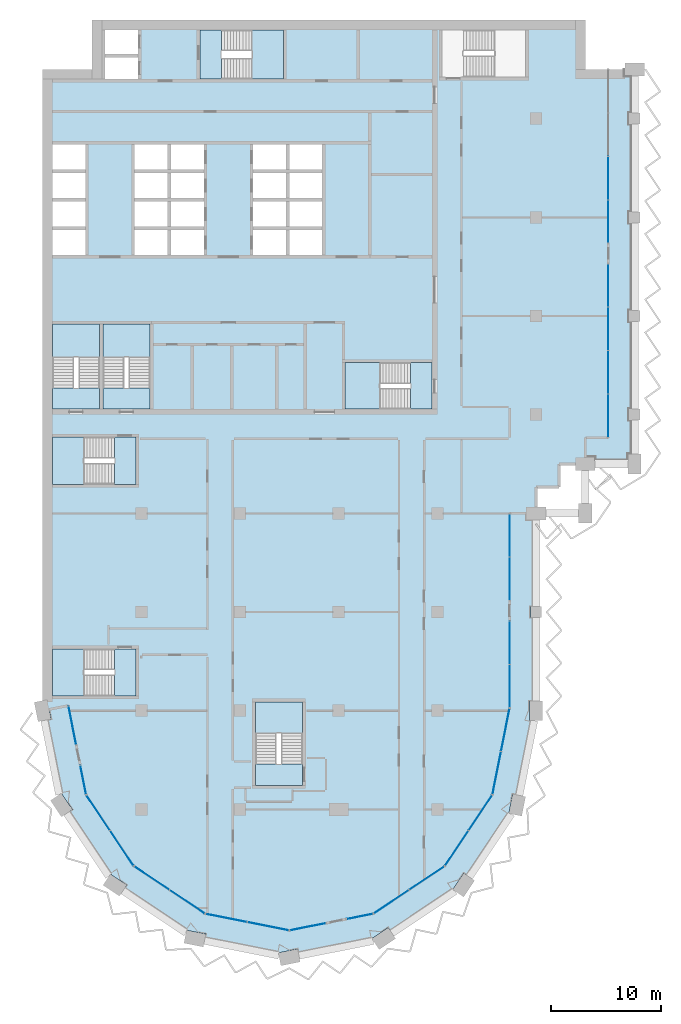
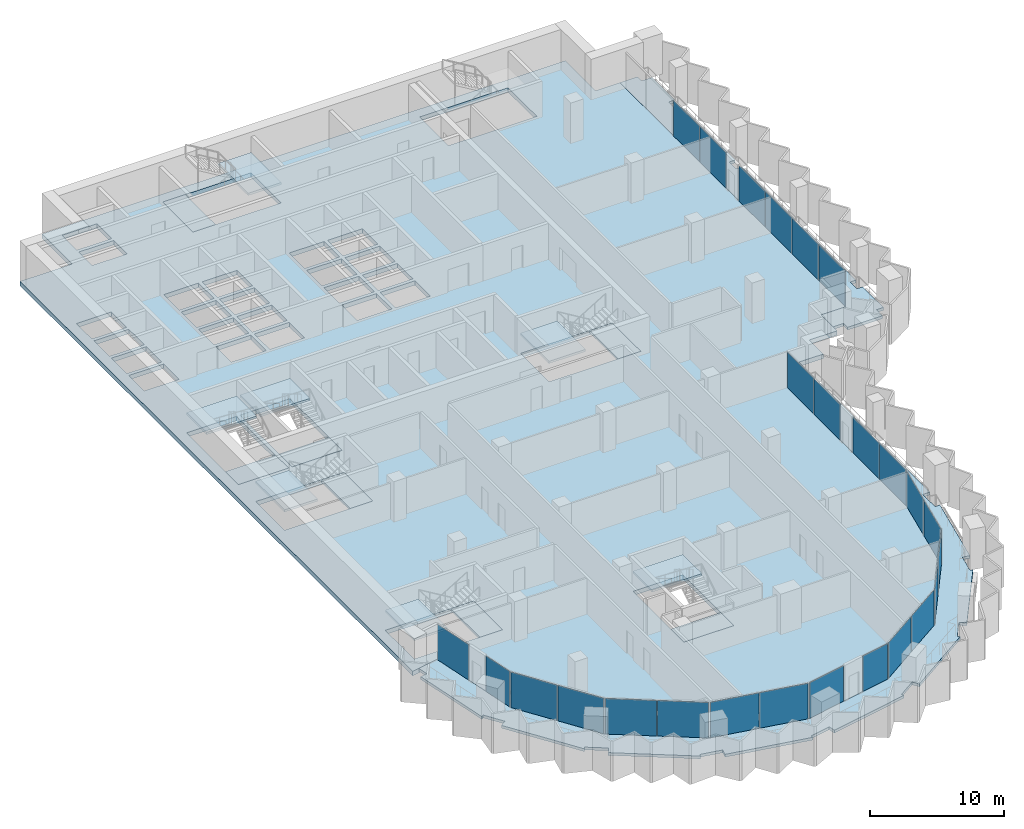
# One storey, part 6 of 17: 26 plates, 17 slabs, 21 elements without a shape of their own.
"""IFC4 building model written with IfcOpenShell, lengths in metres."""

from ifc_helpers import new_model, si_unit, direction, frame, origin, origin_2d, place, context, subcontext, project, spatial, polyline, rectangle, outline, extrude, material, layer, layer_set, type_object, element, aggregate, save


model = new_model("IFC4")

# Units and contexts
model_context = context("Model", 3, precision=1e-05, world=origin(), true_north=direction((0.0, 1.0)))
body_context = subcontext(model_context, "Body", "Model", "MODEL_VIEW")
ifc_project = project(units=[si_unit("LENGTHUNIT", "METRE"), si_unit("AREAUNIT", "SQUARE_METRE"), si_unit("VOLUMEUNIT", "CUBIC_METRE"), si_unit("PLANEANGLEUNIT", "RADIAN"), si_unit("MASSUNIT", "GRAM", prefix="KILO")], contexts=[model_context])

# Site, building, storey
site_placement = place(None, origin())
site = spatial("IfcSite", under=ifc_project, at=site_placement, CompositionType="ELEMENT")
building_placement = place(site_placement, origin())
building = spatial("IfcBuilding", under=site, at=building_placement, Name="Hunhe Ridgeline Campus", CompositionType="ELEMENT")
storey_placement = place(building_placement, frame((0.0, 0.0, 186.5)))
storey = spatial("IfcBuildingStorey", under=building, at=storey_placement, Name="L47", CompositionType="ELEMENT", Elevation=186.5)

# Curtain wall, plate
ifc_material_1 = material(Name="Aluminium 6063", Category="aluminium")
curtain_wall_type_1 = type_object("IfcCurtainWallType", Name="Curtain wall CW-5", PredefinedType="NOTDEFINED", material=ifc_material_1)
curtain_wall_1_placement = place(storey_placement, origin())
curtain_wall_1 = element("IfcCurtainWall", 1, at=curtain_wall_1_placement, inside=storey, type_object=curtain_wall_type_1, Name="Curtain wall 01", PredefinedType="NOTDEFINED")
ifc_material_2 = material(Name="Low-e laminated glass", Category="glass")
ifc_layer_1 = layer(ifc_material_2, 0.028076171875)
ifc_layer_set_1 = layer_set([ifc_layer_1], Name="Curtain wall glass panel 28 low-e laminated")
plate_type = type_object("IfcPlateType", Name="Curtain wall glass panel 28 low-e laminated", PredefinedType="CURTAIN_PANEL", material=ifc_layer_set_1)
plate_1_placement = place(storey_placement, frame((2.7158203125, 34.65380859375, 0.0), z_axis=(0.0, 0.0, 1.0), x_axis=(0.195095326561, -0.980784284924, 0.0)))
plate_1 = element("IfcPlate", 2, at=plate_1_placement, type_object=plate_type, Name="CW-5 panel 1", PredefinedType="CURTAIN_PANEL", context=body_context, shape_type="SweptSolid", body=[
    extrude(rectangle(XDim=3.560791015625, YDim=0.028076171875, at=origin_2d()), origin(), (0.0, 0.0, 1.0), 3.22998046875),
])
aggregate(curtain_wall_1, [plate_1])

curtain_wall_2_placement = place(storey_placement, origin())
curtain_wall_2 = element("IfcCurtainWall", 3, at=curtain_wall_2_placement, inside=storey, type_object=curtain_wall_type_1, Name="Curtain wall 02", PredefinedType="NOTDEFINED")
plate_2_placement = place(storey_placement, frame((3.701171875, 29.699951171875, 0.0), z_axis=(0.0, 0.0, 1.0), x_axis=(0.195095265587, -0.980784297053, 0.0)))
plate_2 = element("IfcPlate", 4, at=plate_2_placement, type_object=plate_type, Name="CW-5 panel 1", PredefinedType="CURTAIN_PANEL", context=body_context, shape_type="SweptSolid", body=[
    extrude(rectangle(XDim=2.660888671875, YDim=0.028076171875, at=origin_2d()), origin(), (0.0, 0.0, 1.0), 3.22998046875),
])
aggregate(curtain_wall_2, [plate_2])

# Curtain wall, plates
curtain_wall_3_placement = place(storey_placement, origin())
curtain_wall_3 = element("IfcCurtainWall", 5, at=curtain_wall_3_placement, inside=storey, type_object=curtain_wall_type_1, Name="Curtain wall 03", PredefinedType="NOTDEFINED")
plate_3_placement = place(storey_placement, frame((5.07080078125, 26.685546875, 0.0), z_axis=(0.0, 0.0, 1.0), x_axis=(0.555570274596, -0.831469584522, 0.0)))
plate_3 = element("IfcPlate", 6, at=plate_3_placement, type_object=plate_type, Name="CW-5 panel 1", PredefinedType="CURTAIN_PANEL", context=body_context, shape_type="SweptSolid", body=[
    extrude(rectangle(XDim=3.806884765625, YDim=0.028076171875, at=origin_2d()), origin(), (0.0, 0.0, 1.0), 3.22998046875),
])
plate_4_placement = place(storey_placement, frame((7.224609375, 23.4619140625, 0.0), z_axis=(0.0, 0.0, 1.0), x_axis=(0.555570274596, -0.831469584522, 0.0)))
plate_4 = element("IfcPlate", 7, at=plate_4_placement, type_object=plate_type, Name="CW-5 panel 2", PredefinedType="CURTAIN_PANEL", context=body_context, shape_type="SweptSolid", body=[
    extrude(rectangle(XDim=3.806884765625, YDim=0.028076171875, at=origin_2d()), origin(), (0.0, 0.0, 1.0), 3.22998046875),
])
aggregate(curtain_wall_3, [plate_3, plate_4])

curtain_wall_4_placement = place(storey_placement, origin())
curtain_wall_4 = element("IfcCurtainWall", 8, at=curtain_wall_4_placement, inside=storey, type_object=curtain_wall_type_1, Name="Curtain wall 04", PredefinedType="NOTDEFINED")
plate_5_placement = place(storey_placement, frame((9.9619140625, 20.724609375, 0.0), z_axis=(0.0, 0.0, 1.0), x_axis=(0.831469584522, -0.555570274596, 0.0)))
plate_5 = element("IfcPlate", 9, at=plate_5_placement, type_object=plate_type, Name="CW-5 panel 1", PredefinedType="CURTAIN_PANEL", context=body_context, shape_type="SweptSolid", body=[
    extrude(rectangle(XDim=3.806884765625, YDim=0.028076171875, at=origin_2d()), origin(), (0.0, 0.0, 1.0), 3.22998046875),
])
plate_6_placement = place(storey_placement, frame((13.185546875, 18.57080078125, 0.0), z_axis=(0.0, 0.0, 1.0), x_axis=(0.831469584522, -0.555570274596, 0.0)))
plate_6 = element("IfcPlate", 10, at=plate_6_placement, type_object=plate_type, Name="CW-5 panel 2", PredefinedType="CURTAIN_PANEL", context=body_context, shape_type="SweptSolid", body=[
    extrude(rectangle(XDim=3.806884765625, YDim=0.028076171875, at=origin_2d()), origin(), (0.0, 0.0, 1.0), 3.22998046875),
])
aggregate(curtain_wall_4, [plate_5, plate_6])

curtain_wall_5_placement = place(storey_placement, origin())
curtain_wall_5 = element("IfcCurtainWall", 11, at=curtain_wall_5_placement, inside=storey, type_object=curtain_wall_type_1, Name="Curtain wall 05", PredefinedType="NOTDEFINED")
plate_7_placement = place(storey_placement, frame((16.761962890625, 17.08935546875, 0.0), z_axis=(0.0, 0.0, 1.0), x_axis=(0.980785275326, -0.195090347539, 0.0)))
plate_7 = element("IfcPlate", 12, at=plate_7_placement, type_object=plate_type, Name="CW-5 panel 1", PredefinedType="CURTAIN_PANEL", context=body_context, shape_type="SweptSolid", body=[
    extrude(rectangle(XDim=3.806884765625, YDim=0.028076171875, at=origin_2d()), origin(), (0.0, 0.0, 1.0), 3.22998046875),
])
plate_8_placement = place(storey_placement, frame((20.564453125, 16.3330078125, 0.0), z_axis=(0.0, 0.0, 1.0), x_axis=(0.980785275326, -0.195090347539, 0.0)))
plate_8 = element("IfcPlate", 13, at=plate_8_placement, type_object=plate_type, Name="CW-5 panel 2", PredefinedType="CURTAIN_PANEL", context=body_context, shape_type="SweptSolid", body=[
    extrude(rectangle(XDim=3.806884765625, YDim=0.028076171875, at=origin_2d()), origin(), (0.0, 0.0, 1.0), 3.22998046875),
])
aggregate(curtain_wall_5, [plate_7, plate_8])

# Curtain wall, plate
curtain_wall_6_placement = place(storey_placement, origin())
curtain_wall_6 = element("IfcCurtainWall", 14, at=curtain_wall_6_placement, inside=storey, type_object=curtain_wall_type_1, Name="Curtain wall 06", PredefinedType="NOTDEFINED")
plate_9_placement = place(storey_placement, frame((24.19775390625, 16.28564453125, 0.0), z_axis=(0.0, 0.0, 1.0), x_axis=(0.980785270791, 0.19509037034, 0.0)))
plate_9 = element("IfcPlate", 15, at=plate_9_placement, type_object=plate_type, Name="CW-5 panel 1", PredefinedType="CURTAIN_PANEL", context=body_context, shape_type="SweptSolid", body=[
    extrude(rectangle(XDim=3.322021484375, YDim=0.028076171875, at=origin_2d()), origin(), (0.0, 0.0, 1.0), 3.22998046875),
])
aggregate(curtain_wall_6, [plate_9])

curtain_wall_7_placement = place(storey_placement, origin())
curtain_wall_7 = element("IfcCurtainWall", 16, at=curtain_wall_7_placement, inside=storey, type_object=curtain_wall_type_1, Name="Curtain wall 07", PredefinedType="NOTDEFINED")
plate_10_placement = place(storey_placement, frame((28.917236328125, 17.224609375, 0.0), z_axis=(0.0, 0.0, 1.0), x_axis=(0.980785242091, 0.195090514627, 0.0)))
plate_10 = element("IfcPlate", 17, at=plate_10_placement, type_object=plate_type, Name="CW-5 panel 1", PredefinedType="CURTAIN_PANEL", context=body_context, shape_type="SweptSolid", body=[
    extrude(rectangle(XDim=2.421875, YDim=0.028076171875, at=origin_2d()), origin(), (0.0, 0.0, 1.0), 3.22998046875),
])
aggregate(curtain_wall_7, [plate_10])

# Curtain wall, plates
curtain_wall_8_placement = place(storey_placement, origin())
curtain_wall_8 = element("IfcCurtainWall", 18, at=curtain_wall_8_placement, inside=storey, type_object=curtain_wall_type_1, Name="Curtain wall 08", PredefinedType="NOTDEFINED")
plate_11_placement = place(storey_placement, frame((31.814453125, 18.57080078125, 0.0), z_axis=(0.0, 0.0, 1.0), x_axis=(0.831469584522, 0.555570274596, 0.0)))
plate_11 = element("IfcPlate", 19, at=plate_11_placement, type_object=plate_type, Name="CW-5 panel 1", PredefinedType="CURTAIN_PANEL", context=body_context, shape_type="SweptSolid", body=[
    extrude(rectangle(XDim=3.806884765625, YDim=0.028076171875, at=origin_2d()), origin(), (0.0, 0.0, 1.0), 3.22998046875),
])
plate_12_placement = place(storey_placement, frame((35.0380859375, 20.724609375, 0.0), z_axis=(0.0, 0.0, 1.0), x_axis=(0.831469584522, 0.555570274596, 0.0)))
plate_12 = element("IfcPlate", 20, at=plate_12_placement, type_object=plate_type, Name="CW-5 panel 2", PredefinedType="CURTAIN_PANEL", context=body_context, shape_type="SweptSolid", body=[
    extrude(rectangle(XDim=3.806884765625, YDim=0.028076171875, at=origin_2d()), origin(), (0.0, 0.0, 1.0), 3.22998046875),
])
aggregate(curtain_wall_8, [plate_11, plate_12])

curtain_wall_9_placement = place(storey_placement, origin())
curtain_wall_9 = element("IfcCurtainWall", 21, at=curtain_wall_9_placement, inside=storey, type_object=curtain_wall_type_1, Name="Curtain wall 09", PredefinedType="NOTDEFINED")
plate_13_placement = place(storey_placement, frame((37.775390625, 23.4619140625, 0.0), z_axis=(0.0, 0.0, 1.0), x_axis=(0.555570274596, 0.831469584522, 0.0)))
plate_13 = element("IfcPlate", 22, at=plate_13_placement, type_object=plate_type, Name="CW-5 panel 1", PredefinedType="CURTAIN_PANEL", context=body_context, shape_type="SweptSolid", body=[
    extrude(rectangle(XDim=3.806884765625, YDim=0.028076171875, at=origin_2d()), origin(), (0.0, 0.0, 1.0), 3.22998046875),
])
plate_14_placement = place(storey_placement, frame((39.92919921875, 26.685546875, 0.0), z_axis=(0.0, 0.0, 1.0), x_axis=(0.555570274596, 0.831469584522, 0.0)))
plate_14 = element("IfcPlate", 23, at=plate_14_placement, type_object=plate_type, Name="CW-5 panel 2", PredefinedType="CURTAIN_PANEL", context=body_context, shape_type="SweptSolid", body=[
    extrude(rectangle(XDim=3.806884765625, YDim=0.028076171875, at=origin_2d()), origin(), (0.0, 0.0, 1.0), 3.22998046875),
])
aggregate(curtain_wall_9, [plate_13, plate_14])

curtain_wall_10_placement = place(storey_placement, origin())
curtain_wall_10 = element("IfcCurtainWall", 24, at=curtain_wall_10_placement, inside=storey, type_object=curtain_wall_type_1, Name="Curtain wall 10", PredefinedType="NOTDEFINED")
plate_15_placement = place(storey_placement, frame((41.42236328125, 30.321044921875, 0.0), z_axis=(0.0, 0.0, 1.0), x_axis=(0.195090299215, 0.980785284939, 0.0)))
plate_15 = element("IfcPlate", 25, at=plate_15_placement, type_object=plate_type, Name="CW-5 panel 1", PredefinedType="CURTAIN_PANEL", context=body_context, shape_type="SweptSolid", body=[
    extrude(rectangle(XDim=3.927490234375, YDim=0.028076171875, at=origin_2d()), origin(), (0.0, 0.0, 1.0), 3.22998046875),
])
plate_16_placement = place(storey_placement, frame((42.2021484375, 34.24169921875, 0.0), z_axis=(0.0, 0.0, 1.0), x_axis=(0.195090299215, 0.980785284939, 0.0)))
plate_16 = element("IfcPlate", 26, at=plate_16_placement, type_object=plate_type, Name="CW-5 panel 2", PredefinedType="CURTAIN_PANEL", context=body_context, shape_type="SweptSolid", body=[
    extrude(rectangle(XDim=3.927490234375, YDim=0.028076171875, at=origin_2d()), origin(), (0.0, 0.0, 1.0), 3.22998046875),
])
aggregate(curtain_wall_10, [plate_15, plate_16])

curtain_wall_type_2 = type_object("IfcCurtainWallType", Name="Curtain wall CW-1", PredefinedType="NOTDEFINED", material=ifc_material_1)
curtain_wall_11_placement = place(storey_placement, origin())
curtain_wall_11 = element("IfcCurtainWall", 27, at=curtain_wall_11_placement, inside=storey, type_object=curtain_wall_type_2, Name="Curtain wall 11", PredefinedType="NOTDEFINED")
plate_17_placement = place(storey_placement, frame((42.59912109375, 38.2470703125, 0.0), z_axis=(0.0, 0.0, 1.0), x_axis=(6.639948e-06, 0.999999999978, 0.0)))
plate_17 = element("IfcPlate", 28, at=plate_17_placement, type_object=plate_type, Name="CW-1 panel 1", PredefinedType="CURTAIN_PANEL", context=body_context, shape_type="SweptSolid", body=[
    extrude(rectangle(XDim=3.90087890625, YDim=0.028076171875, at=origin_2d()), origin(), (0.0, 0.0, 1.0), 3.239990234375),
])
plate_18_placement = place(storey_placement, frame((42.59912109375, 42.2080078125, 0.0), z_axis=(0.0, 0.0, 1.0), x_axis=(6.639948e-06, 0.999999999978, 0.0)))
plate_18 = element("IfcPlate", 29, at=plate_18_placement, type_object=plate_type, Name="CW-1 panel 2", PredefinedType="CURTAIN_PANEL", context=body_context, shape_type="SweptSolid", body=[
    extrude(rectangle(XDim=3.90087890625, YDim=0.028076171875, at=origin_2d()), origin(), (0.0, 0.0, 1.0), 3.239990234375),
])
aggregate(curtain_wall_11, [plate_17, plate_18])

curtain_wall_12_placement = place(storey_placement, origin())
curtain_wall_12 = element("IfcCurtainWall", 30, at=curtain_wall_12_placement, inside=storey, type_object=curtain_wall_type_2, Name="Curtain wall 12", PredefinedType="NOTDEFINED")
plate_19_placement = place(storey_placement, frame((42.59912109375, 48.029052734375, 0.0), z_axis=(0.0, 0.0, 1.0), x_axis=(6.639948e-06, 0.999999999978, 0.0)))
plate_19 = element("IfcPlate", 31, at=plate_19_placement, type_object=plate_type, Name="CW-1 panel 1", PredefinedType="CURTAIN_PANEL", context=body_context, shape_type="SweptSolid", body=[
    extrude(rectangle(XDim=3.90087890625, YDim=0.028076171875, at=origin_2d()), origin(), (0.0, 0.0, 1.0), 3.239990234375),
])
plate_20_placement = place(storey_placement, frame((42.59912109375, 51.989990234375, 0.0), z_axis=(0.0, 0.0, 1.0), x_axis=(6.639948e-06, 0.999999999978, 0.0)))
plate_20 = element("IfcPlate", 32, at=plate_20_placement, type_object=plate_type, Name="CW-1 panel 2", PredefinedType="CURTAIN_PANEL", context=body_context, shape_type="SweptSolid", body=[
    extrude(rectangle(XDim=3.90087890625, YDim=0.028076171875, at=origin_2d()), origin(), (0.0, 0.0, 1.0), 3.239990234375),
])
aggregate(curtain_wall_12, [plate_19, plate_20])

curtain_wall_13_placement = place(storey_placement, origin())
curtain_wall_13 = element("IfcCurtainWall", 33, at=curtain_wall_13_placement, inside=storey, type_object=curtain_wall_type_2, Name="Curtain wall 13", PredefinedType="NOTDEFINED")
plate_21_placement = place(storey_placement, frame((51.59912109375, 62.9033203125, 0.0), z_axis=(0.0, 0.0, 1.0), x_axis=(0.0, 1.0, 0.0)))
plate_21 = element("IfcPlate", 34, at=plate_21_placement, type_object=plate_type, Name="CW-1 panel 1", PredefinedType="CURTAIN_PANEL", context=body_context, shape_type="SweptSolid", body=[
    extrude(rectangle(XDim=3.884765625, YDim=0.028076171875, at=origin_2d()), origin(), (0.0, 0.0, 1.0), 3.239990234375),
])
plate_22_placement = place(storey_placement, frame((51.59912109375, 66.86328125, 0.0), z_axis=(0.0, 0.0, 1.0), x_axis=(0.0, 1.0, 0.0)))
plate_22 = element("IfcPlate", 35, at=plate_22_placement, type_object=plate_type, Name="CW-1 panel 2", PredefinedType="CURTAIN_PANEL", context=body_context, shape_type="SweptSolid", body=[
    extrude(rectangle(XDim=3.914794921875, YDim=0.028076171875, at=origin_2d()), origin(), (0.0, 0.0, 1.0), 3.239990234375),
])
plate_23_placement = place(storey_placement, frame((51.59912109375, 70.838134765625, 0.0), z_axis=(0.0, 0.0, 1.0), x_axis=(0.0, 1.0, 0.0)))
plate_23 = element("IfcPlate", 36, at=plate_23_placement, type_object=plate_type, Name="CW-1 panel 3", PredefinedType="CURTAIN_PANEL", context=body_context, shape_type="SweptSolid", body=[
    extrude(rectangle(XDim=3.914794921875, YDim=0.028076171875, at=origin_2d()), origin(), (0.0, 0.0, 1.0), 3.239990234375),
])
plate_24_placement = place(storey_placement, frame((51.59912109375, 74.798095703125, 0.0), z_axis=(0.0, 0.0, 1.0), x_axis=(0.0, 1.0, 0.0)))
plate_24 = element("IfcPlate", 37, at=plate_24_placement, type_object=plate_type, Name="CW-1 panel 4", PredefinedType="CURTAIN_PANEL", context=body_context, shape_type="SweptSolid", body=[
    extrude(rectangle(XDim=3.884765625, YDim=0.028076171875, at=origin_2d()), origin(), (0.0, 0.0, 1.0), 3.239990234375),
])
aggregate(curtain_wall_13, [plate_21, plate_22, plate_23, plate_24])

curtain_wall_14_placement = place(storey_placement, origin())
curtain_wall_14 = element("IfcCurtainWall", 38, at=curtain_wall_14_placement, inside=storey, type_object=curtain_wall_type_2, Name="Curtain wall 14", PredefinedType="NOTDEFINED")
plate_25_placement = place(storey_placement, frame((51.59912109375, 80.60302734375, 0.0), z_axis=(0.0, 0.0, 1.0), x_axis=(0.0, 1.0, 0.0)))
plate_25 = element("IfcPlate", 39, at=plate_25_placement, type_object=plate_type, Name="CW-1 panel 1", PredefinedType="CURTAIN_PANEL", context=body_context, shape_type="SweptSolid", body=[
    extrude(rectangle(XDim=3.884765625, YDim=0.028076171875, at=origin_2d()), origin(), (0.0, 0.0, 1.0), 3.239990234375),
])
plate_26_placement = place(storey_placement, frame((51.59912109375, 84.562744140625, 0.0), z_axis=(0.0, 0.0, 1.0), x_axis=(0.0, 1.0, 0.0)))
plate_26 = element("IfcPlate", 40, at=plate_26_placement, type_object=plate_type, Name="CW-1 panel 2", PredefinedType="CURTAIN_PANEL", context=body_context, shape_type="SweptSolid", body=[
    extrude(rectangle(XDim=3.914794921875, YDim=0.028076171875, at=origin_2d()), origin(), (0.0, 0.0, 1.0), 3.239990234375),
])
aggregate(curtain_wall_14, [plate_25, plate_26])

# Slabs
ifc_material_3 = material(Name="Concrete C40", Category="concrete")
ifc_layer_2 = layer(ifc_material_3, 0.39990234375)
ifc_layer_set_2 = layer_set([ifc_layer_2], Name="Floor slab 400 Concrete C40")
slab_type_1 = type_object("IfcSlabType", Name="Floor slab 400 Concrete C40", PredefinedType="FLOOR", material=ifc_layer_set_2)
slab_1_placement = place(storey_placement, frame((0.0, 0.0, -0.39990234375)))
element("IfcSlab", 41, at=slab_1_placement, inside=storey, type_object=slab_type_1, Name="Floor slab L47 1", PredefinedType="FLOOR", context=body_context, shape_type="SweptSolid", body=[
    extrude(outline(polyline([(51.59912109375, 94.5), (49.5, 94.5), (49.5, 99.0), (4.5, 99.0), (4.5, 94.5), (0.0, 94.5), (0.0, 36.0009765625), (2.354736328125, 36.46875), (3.974365234375, 28.326416015625), (8.321044921875, 21.821044921875), (14.826416015625, 17.474365234375), (22.5, 15.947998046875), (30.173583984375, 17.474365234375), (36.678955078125, 21.821044921875), (41.025634765625, 28.326416015625), (42.59912109375, 36.236572265625), (42.59912109375, 54.00048828125), (44.9990234375, 54.0009765625), (44.999267578125, 56.400634765625), (47.09912109375, 56.40087890625), (47.099609375, 58.5009765625), (49.4990234375, 58.5009765625), (49.49951171875, 60.90087890625), (51.59912109375, 60.90087890625), (51.59912109375, 94.5)]), holes=[polyline([(36.449951171875, 93.800048828125), (44.050048828125, 93.800048828125), (44.050048828125, 98.10009765625), (36.449951171875, 98.10009765625), (36.449951171875, 93.800048828125)]), polyline([(35.5, 63.5), (35.5, 67.75), (27.60009765625, 67.75), (27.60009765625, 63.5), (35.5, 63.5)]), polyline([(25.5, 80.14990234375), (25.5, 82.449951171875), (22.5, 82.449951171875), (22.5, 80.14990234375), (25.5, 80.14990234375)]), polyline([(25.5, 79.85009765625), (22.5, 79.85009765625), (22.5, 77.550048828125), (25.5, 77.550048828125), (25.5, 79.85009765625)]), polyline([(22.5, 87.64990234375), (22.5, 85.35009765625), (25.5, 85.35009765625), (25.5, 87.64990234375), (22.5, 87.64990234375)]), polyline([(22.5, 82.75), (25.5, 82.75), (25.5, 85.050048828125), (22.5, 85.050048828125), (22.5, 82.75)]), polyline([(19.39990234375, 29.199951171875), (23.699951171875, 29.199951171875), (23.699951171875, 36.800048828125), (19.39990234375, 36.800048828125), (19.39990234375, 29.199951171875)]), polyline([(22.199951171875, 80.14990234375), (22.199951171875, 82.449951171875), (19.199951171875, 82.449951171875), (19.199951171875, 80.14990234375), (22.199951171875, 80.14990234375)]), polyline([(22.199951171875, 79.85009765625), (19.199951171875, 79.85009765625), (19.199951171875, 77.550048828125), (22.199951171875, 77.550048828125), (22.199951171875, 79.85009765625)]), polyline([(19.199951171875, 87.64990234375), (19.199951171875, 85.35009765625), (22.199951171875, 85.35009765625), (22.199951171875, 87.64990234375), (19.199951171875, 87.64990234375)]), polyline([(19.199951171875, 82.75), (22.199951171875, 82.75), (22.199951171875, 85.050048828125), (19.199951171875, 85.050048828125), (19.199951171875, 82.75)]), polyline([(14.35009765625, 93.60009765625), (21.949951171875, 93.60009765625), (21.949951171875, 98.10009765625), (14.35009765625, 98.10009765625), (14.35009765625, 93.60009765625)]), polyline([(11.699951171875, 87.64990234375), (11.699951171875, 85.35009765625), (14.699951171875, 85.35009765625), (14.699951171875, 87.64990234375), (11.699951171875, 87.64990234375)]), polyline([(14.699951171875, 80.14990234375), (14.699951171875, 82.449951171875), (11.699951171875, 82.449951171875), (11.699951171875, 80.14990234375), (14.699951171875, 80.14990234375)]), polyline([(14.699951171875, 79.85009765625), (11.699951171875, 79.85009765625), (11.699951171875, 77.550048828125), (14.699951171875, 77.550048828125), (14.699951171875, 79.85009765625)]), polyline([(11.699951171875, 82.75), (14.699951171875, 82.75), (14.699951171875, 85.050048828125), (11.699951171875, 85.050048828125), (11.699951171875, 82.75)]), polyline([(11.39990234375, 80.14990234375), (11.39990234375, 82.449951171875), (8.39990234375, 82.449951171875), (8.39990234375, 80.14990234375), (11.39990234375, 80.14990234375)]), polyline([(11.39990234375, 79.85009765625), (8.39990234375, 79.85009765625), (8.39990234375, 77.550048828125), (11.39990234375, 77.550048828125), (11.39990234375, 79.85009765625)]), polyline([(8.39990234375, 87.64990234375), (8.39990234375, 85.35009765625), (11.39990234375, 85.35009765625), (11.39990234375, 87.64990234375), (8.39990234375, 87.64990234375)]), polyline([(8.39990234375, 82.75), (11.39990234375, 82.75), (11.39990234375, 85.050048828125), (8.39990234375, 85.050048828125), (8.39990234375, 82.75)]), polyline([(9.800048828125, 71.25), (5.5, 71.25), (5.5, 63.5), (9.800048828125, 63.5), (9.800048828125, 71.25)]), polyline([(8.699951171875, 95.89990234375), (8.699951171875, 98.10009765625), (5.699951171875, 98.10009765625), (5.699951171875, 95.89990234375), (8.699951171875, 95.89990234375)]), polyline([(8.699951171875, 95.60009765625), (5.699951171875, 95.60009765625), (5.699951171875, 93.60009765625), (8.699951171875, 93.60009765625), (8.699951171875, 95.60009765625)]), polyline([(0.89990234375, 37.35009765625), (8.5, 37.35009765625), (8.5, 41.64990234375), (0.89990234375, 41.64990234375), (0.89990234375, 37.35009765625)]), polyline([(0.89990234375, 60.949951171875), (0.89990234375, 56.64990234375), (8.5, 56.64990234375), (8.5, 60.949951171875), (0.89990234375, 60.949951171875)]), polyline([(0.89990234375, 71.25), (0.89990234375, 63.5), (5.199951171875, 63.5), (5.199951171875, 71.25), (0.89990234375, 71.25)]), polyline([(3.89990234375, 80.14990234375), (3.89990234375, 82.449951171875), (0.89990234375, 82.449951171875), (0.89990234375, 80.14990234375), (3.89990234375, 80.14990234375)]), polyline([(3.89990234375, 79.85009765625), (0.89990234375, 79.85009765625), (0.89990234375, 77.550048828125), (3.89990234375, 77.550048828125), (3.89990234375, 79.85009765625)]), polyline([(0.89990234375, 87.64990234375), (0.89990234375, 85.35009765625), (3.89990234375, 85.35009765625), (3.89990234375, 87.64990234375), (0.89990234375, 87.64990234375)]), polyline([(0.89990234375, 82.75), (3.89990234375, 82.75), (3.89990234375, 85.050048828125), (0.89990234375, 85.050048828125), (0.89990234375, 82.75)])]), origin(), (0.0, 0.0, 1.0), 0.39990234375),
])
ifc_layer_3 = layer(ifc_material_3, 0.25)
ifc_layer_set_3 = layer_set([ifc_layer_3], Name="Loggia slab 250 Concrete C40")
slab_type_2 = type_object("IfcSlabType", Name="Loggia slab 250 Concrete C40", PredefinedType="FLOOR", material=ifc_layer_set_3)
slab_2_placement = place(storey_placement, frame((0.0, 0.0, -0.25)))
element("IfcSlab", 42, at=slab_2_placement, inside=storey, type_object=slab_type_2, Name="Loggia slab 1", PredefinedType="FLOOR", context=body_context, shape_type="SweptSolid", body=[
    extrude(outline(polyline([(30.173828125, 17.473388671875), (22.5, 15.947021484375), (14.826171875, 17.473388671875), (8.3203125, 21.8203125), (3.973388671875, 28.326171875), (2.35400390625, 36.46826171875), (0.58837890625, 36.116943359375), (0.76416015625, 35.234375), (0.175537109375, 35.1171875), (1.522705078125, 28.344970703125), (1.711669921875, 28.47119140625), (2.711669921875, 26.974609375), (2.212646484375, 26.641357421875), (6.048828125, 20.900146484375), (6.175048828125, 21.089111328125), (7.671875, 20.0888671875), (7.33837890625, 19.590087890625), (13.07958984375, 15.75390625), (13.1240234375, 15.976806640625), (14.889404296875, 15.62548828125), (14.772216796875, 15.037109375), (21.544677734375, 13.68994140625), (21.500244140625, 13.912841796875), (23.265625, 14.26416015625), (23.3828125, 13.675537109375), (30.155029296875, 15.022705078125), (30.02880859375, 15.211669921875), (31.525390625, 16.211669921875), (31.858642578125, 15.712646484375), (37.599853515625, 19.548828125), (37.410888671875, 19.675048828125), (38.4111328125, 21.171875), (38.909912109375, 20.83837890625), (42.74609375, 26.57958984375), (42.523193359375, 26.6240234375), (42.87451171875, 28.389404296875), (43.462890625, 28.272216796875), (44.821044921875, 35.10009765625), (44.39990234375, 35.10009765625), (44.39990234375, 36.89990234375), (45.0, 36.89990234375), (45.0, 44.5), (44.5, 44.5), (44.5, 45.5), (45.0, 45.5), (45.0, 53.39990234375), (44.10009765625, 53.39990234375), (44.10009765625, 54.0), (42.60009765625, 54.0), (42.60009765625, 36.236328125), (41.026611328125, 28.326171875), (36.6796875, 21.8203125), (30.173828125, 17.473388671875)])), origin(), (0.0, 0.0, 1.0), 0.25),
])
slab_3_placement = place(storey_placement, frame((0.0, 0.0, -0.25)))
element("IfcSlab", 43, at=slab_3_placement, inside=storey, type_object=slab_type_2, Name="Loggia slab 2", PredefinedType="FLOOR", context=body_context, shape_type="SweptSolid", body=[
    extrude(outline(polyline([(49.5, 59.10009765625), (50.39990234375, 59.10009765625), (50.39990234375, 58.5), (53.39990234375, 58.5), (53.39990234375, 59.39990234375), (54.0, 59.39990234375), (54.0, 62.5), (53.5, 62.5), (53.5, 63.5), (54.0, 63.5), (54.0, 71.5), (53.5, 71.5), (53.5, 72.5), (54.0, 72.5), (54.0, 80.5), (53.5, 80.5), (53.5, 81.5), (54.0, 81.5), (54.0, 89.5), (53.5, 89.5), (53.5, 90.5), (54.0, 90.5), (54.0, 93.89990234375), (53.10009765625, 93.89990234375), (53.10009765625, 94.5), (51.60009765625, 94.5), (51.60009765625, 60.89990234375), (49.5, 60.89990234375), (49.5, 59.10009765625)])), origin(), (0.0, 0.0, 1.0), 0.25),
])

# Stair, slab
stair_type = type_object("IfcStairType", Name="Reinforced concrete dog-leg stair 1950 Concrete C40", PredefinedType="HALF_TURN_STAIR", material=ifc_material_3)
stair_1_placement = place(storey_placement, origin())
stair_1 = element("IfcStair", 44, at=stair_1_placement, inside=storey, type_object=stair_type, Name="L47 S1", PredefinedType="HALF_TURN_STAIR")
ifc_layer_4 = layer(ifc_material_3, 0.199951171875)
ifc_layer_set_4 = layer_set([ifc_layer_4], Name="Reinforced concrete stair landing 200 Concrete C40")
slab_type_3 = type_object("IfcSlabType", Name="Reinforced concrete stair landing 200 Concrete C40", PredefinedType="LANDING", material=ifc_layer_set_4)
slab_4_placement = place(storey_placement, frame((0.0, 0.0, 1.64990234375)))
slab_4 = element("IfcSlab", 45, at=slab_4_placement, type_object=slab_type_3, Name="ST1 landing 1", PredefinedType="LANDING", context=body_context, shape_type="SweptSolid", body=[
    extrude(outline(polyline([(19.10009765625, 93.60009765625), (21.949951171875, 93.60009765625), (21.949951171875, 98.10009765625), (19.10009765625, 98.10009765625), (19.10009765625, 93.60009765625)])), origin(), (0.0, 0.0, 1.0), 0.2001953125),
])
aggregate(stair_1, [slab_4])

# Slab
slab_5_placement = place(storey_placement, frame((0.0, 0.0, -0.199951171875)))
element("IfcSlab", 46, at=slab_5_placement, inside=storey, type_object=slab_type_3, Name="L47 stair S1 floor landing", PredefinedType="LANDING", context=body_context, shape_type="SweptSolid", body=[
    extrude(outline(polyline([(14.35009765625, 93.60009765625), (16.300048828125, 93.60009765625), (16.300048828125, 98.10009765625), (14.35009765625, 98.10009765625), (14.35009765625, 93.60009765625)])), origin(), (0.0, 0.0, 1.0), 0.199951171875),
])

# Stair, slab
stair_2_placement = place(storey_placement, origin())
stair_2 = element("IfcStair", 47, at=stair_2_placement, inside=storey, type_object=stair_type, Name="L47 S2", PredefinedType="HALF_TURN_STAIR")
slab_6_placement = place(storey_placement, frame((0.0, 0.0, 1.64990234375)))
slab_6 = element("IfcSlab", 48, at=slab_6_placement, type_object=slab_type_3, Name="ST2 landing 1", PredefinedType="LANDING", context=body_context, shape_type="SweptSolid", body=[
    extrude(outline(polyline([(30.75, 67.75), (27.60009765625, 67.75), (27.60009765625, 63.5), (30.75, 63.5), (30.75, 67.75)])), origin(), (0.0, 0.0, 1.0), 0.2001953125),
])
aggregate(stair_2, [slab_6])

# Slab
slab_7_placement = place(storey_placement, frame((0.0, 0.0, -0.199951171875)))
element("IfcSlab", 49, at=slab_7_placement, inside=storey, type_object=slab_type_3, Name="L47 stair S2 floor landing", PredefinedType="LANDING", context=body_context, shape_type="SweptSolid", body=[
    extrude(outline(polyline([(35.5, 67.75), (33.550048828125, 67.75), (33.550048828125, 63.5), (35.5, 63.5), (35.5, 67.75)])), origin(), (0.0, 0.0, 1.0), 0.199951171875),
])

# Stair, slab
stair_3_placement = place(storey_placement, origin())
stair_3 = element("IfcStair", 50, at=stair_3_placement, inside=storey, type_object=stair_type, Name="L47 S3", PredefinedType="HALF_TURN_STAIR")
slab_8_placement = place(storey_placement, frame((0.0, 0.0, 1.64990234375)))
slab_8 = element("IfcSlab", 51, at=slab_8_placement, type_object=slab_type_3, Name="ST3 landing 1", PredefinedType="LANDING", context=body_context, shape_type="SweptSolid", body=[
    extrude(outline(polyline([(5.199951171875, 68.25), (5.199951171875, 71.25), (0.89990234375, 71.25), (0.89990234375, 68.25), (5.199951171875, 68.25)])), origin(), (0.0, 0.0, 1.0), 0.2001953125),
])
aggregate(stair_3, [slab_8])

# Slab
slab_9_placement = place(storey_placement, frame((0.0, 0.0, -0.199951171875)))
element("IfcSlab", 52, at=slab_9_placement, inside=storey, type_object=slab_type_3, Name="L47 stair S3 floor landing", PredefinedType="LANDING", context=body_context, shape_type="SweptSolid", body=[
    extrude(outline(polyline([(5.199951171875, 63.5), (5.199951171875, 65.449951171875), (0.89990234375, 65.449951171875), (0.89990234375, 63.5), (5.199951171875, 63.5)])), origin(), (0.0, 0.0, 1.0), 0.199951171875),
])

# Stair, slab
stair_4_placement = place(storey_placement, origin())
stair_4 = element("IfcStair", 53, at=stair_4_placement, inside=storey, type_object=stair_type, Name="L47 S4", PredefinedType="HALF_TURN_STAIR")
slab_10_placement = place(storey_placement, frame((0.0, 0.0, 1.64990234375)))
slab_10 = element("IfcSlab", 54, at=slab_10_placement, type_object=slab_type_3, Name="ST4 landing 1", PredefinedType="LANDING", context=body_context, shape_type="SweptSolid", body=[
    extrude(outline(polyline([(9.800048828125, 68.25), (9.800048828125, 71.25), (5.5, 71.25), (5.5, 68.25), (9.800048828125, 68.25)])), origin(), (0.0, 0.0, 1.0), 0.2001953125),
])
aggregate(stair_4, [slab_10])

# Slab
slab_11_placement = place(storey_placement, frame((0.0, 0.0, -0.199951171875)))
element("IfcSlab", 55, at=slab_11_placement, inside=storey, type_object=slab_type_3, Name="L47 stair S4 floor landing", PredefinedType="LANDING", context=body_context, shape_type="SweptSolid", body=[
    extrude(outline(polyline([(9.800048828125, 63.5), (9.800048828125, 65.449951171875), (5.5, 65.449951171875), (5.5, 63.5), (9.800048828125, 63.5)])), origin(), (0.0, 0.0, 1.0), 0.199951171875),
])

# Stair, slab
stair_5_placement = place(storey_placement, origin())
stair_5 = element("IfcStair", 56, at=stair_5_placement, inside=storey, type_object=stair_type, Name="L47 W3", PredefinedType="HALF_TURN_STAIR")
slab_12_placement = place(storey_placement, frame((0.0, 0.0, 1.64990234375)))
slab_12 = element("IfcSlab", 57, at=slab_12_placement, type_object=slab_type_3, Name="ST9 landing 1", PredefinedType="LANDING", context=body_context, shape_type="SweptSolid", body=[
    extrude(outline(polyline([(23.699951171875, 33.949951171875), (23.699951171875, 36.800048828125), (19.39990234375, 36.800048828125), (19.39990234375, 33.949951171875), (23.699951171875, 33.949951171875)])), origin(), (0.0, 0.0, 1.0), 0.2001953125),
])
aggregate(stair_5, [slab_12])

# Slab
slab_13_placement = place(storey_placement, frame((0.0, 0.0, -0.199951171875)))
element("IfcSlab", 58, at=slab_13_placement, inside=storey, type_object=slab_type_3, Name="L47 stair W3 floor landing", PredefinedType="LANDING", context=body_context, shape_type="SweptSolid", body=[
    extrude(outline(polyline([(23.699951171875, 29.199951171875), (23.699951171875, 31.14990234375), (19.39990234375, 31.14990234375), (19.39990234375, 29.199951171875), (23.699951171875, 29.199951171875)])), origin(), (0.0, 0.0, 1.0), 0.199951171875),
])

# Stair, slab
stair_6_placement = place(storey_placement, origin())
stair_6 = element("IfcStair", 59, at=stair_6_placement, inside=storey, type_object=stair_type, Name="L47 W1", PredefinedType="HALF_TURN_STAIR")
slab_14_placement = place(storey_placement, frame((0.0, 0.0, 1.64990234375)))
slab_14 = element("IfcSlab", 60, at=slab_14_placement, type_object=slab_type_3, Name="ST11 landing 1", PredefinedType="LANDING", context=body_context, shape_type="SweptSolid", body=[
    extrude(outline(polyline([(3.75, 41.64990234375), (0.89990234375, 41.64990234375), (0.89990234375, 37.35009765625), (3.75, 37.35009765625), (3.75, 41.64990234375)])), origin(), (0.0, 0.0, 1.0), 0.2001953125),
])
aggregate(stair_6, [slab_14])

# Slab
slab_15_placement = place(storey_placement, frame((0.0, 0.0, -0.199951171875)))
element("IfcSlab", 61, at=slab_15_placement, inside=storey, type_object=slab_type_3, Name="L47 stair W1 floor landing", PredefinedType="LANDING", context=body_context, shape_type="SweptSolid", body=[
    extrude(outline(polyline([(8.5, 41.64990234375), (6.550048828125, 41.64990234375), (6.550048828125, 37.35009765625), (8.5, 37.35009765625), (8.5, 41.64990234375)])), origin(), (0.0, 0.0, 1.0), 0.199951171875),
])

# Stair, slab
stair_7_placement = place(storey_placement, origin())
stair_7 = element("IfcStair", 62, at=stair_7_placement, inside=storey, type_object=stair_type, Name="L47 W2", PredefinedType="HALF_TURN_STAIR")
slab_16_placement = place(storey_placement, frame((0.0, 0.0, 1.64990234375)))
slab_16 = element("IfcSlab", 63, at=slab_16_placement, type_object=slab_type_3, Name="ST12 landing 1", PredefinedType="LANDING", context=body_context, shape_type="SweptSolid", body=[
    extrude(outline(polyline([(3.75, 60.949951171875), (0.89990234375, 60.949951171875), (0.89990234375, 56.64990234375), (3.75, 56.64990234375), (3.75, 60.949951171875)])), origin(), (0.0, 0.0, 1.0), 0.2001953125),
])
aggregate(stair_7, [slab_16])

# Slab
slab_17_placement = place(storey_placement, frame((0.0, 0.0, -0.199951171875)))
element("IfcSlab", 64, at=slab_17_placement, inside=storey, type_object=slab_type_3, Name="L47 stair W2 floor landing", PredefinedType="LANDING", context=body_context, shape_type="SweptSolid", body=[
    extrude(outline(polyline([(8.5, 60.949951171875), (6.550048828125, 60.949951171875), (6.550048828125, 56.64990234375), (8.5, 56.64990234375), (8.5, 60.949951171875)])), origin(), (0.0, 0.0, 1.0), 0.199951171875),
])

save(model, "model.ifc")
